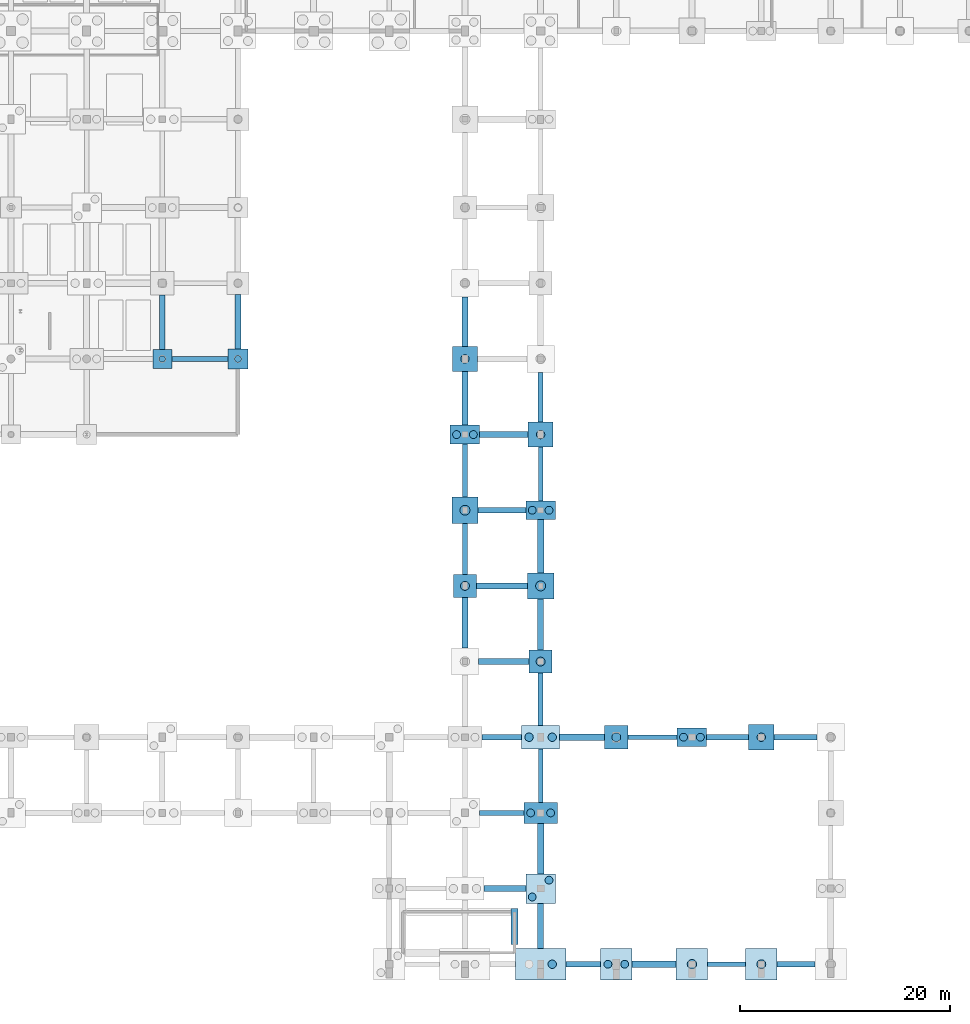
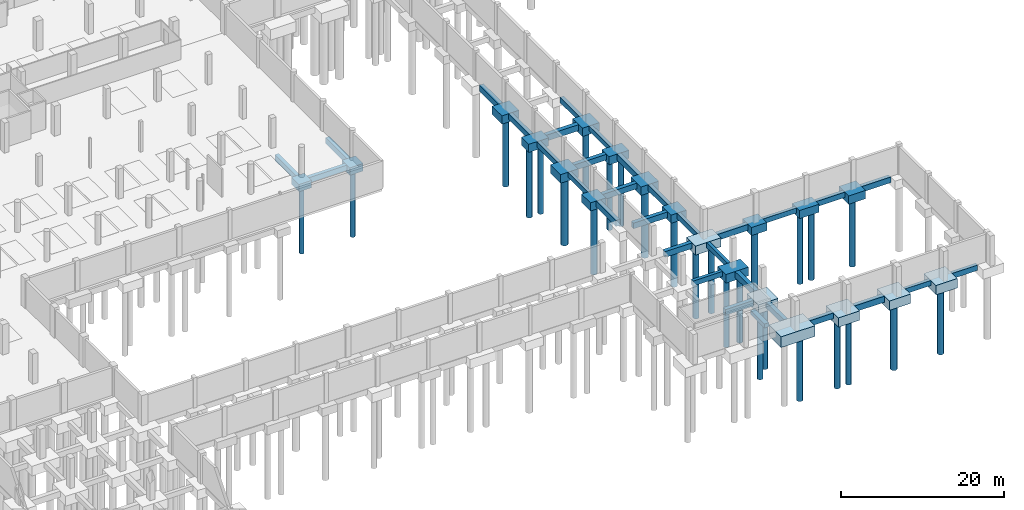
# One storey, part 5 of 35: 52 footings, 27 piles.
"""IFC4 building model written with IfcOpenShell, lengths in metres."""

from ifc_helpers import new_model, si_unit, direction, frame, origin, origin_2d, place, context, subcontext, project, spatial, rectangle, circle, extrude, material, material_profile, profile_set, type_object, element, save


model = new_model("IFC4")

# Units and contexts
model_context = context("Model", 3, precision=1e-05, world=origin(), true_north=direction((0.0, 1.0)))
body_context = subcontext(model_context, "Body", "Model", "MODEL_VIEW")
ifc_project = project(units=[si_unit("LENGTHUNIT", "METRE"), si_unit("AREAUNIT", "SQUARE_METRE"), si_unit("VOLUMEUNIT", "CUBIC_METRE"), si_unit("PLANEANGLEUNIT", "RADIAN"), si_unit("MASSUNIT", "GRAM", prefix="KILO")], contexts=[model_context])

# Site, building, storey
site_placement = place(None, origin())
site = spatial("IfcSite", under=ifc_project, at=site_placement, CompositionType="ELEMENT")
building_placement = place(site_placement, origin())
building = spatial("IfcBuilding", under=site, at=building_placement, Name="Kalluvel Institute of Natural Sciences", CompositionType="ELEMENT")
storey_placement = place(building_placement, frame((0.0, 0.0, -4.5)))
storey = spatial("IfcBuildingStorey", under=building, at=storey_placement, Name="B1", CompositionType="ELEMENT", Elevation=-4.5)

# Footings
ifc_material = material(Name="Concrete M40", Category="concrete")
footing_type_1 = type_object("IfcFootingType", Name="FB-450x750", PredefinedType="FOOTING_BEAM", material=ifc_material)
footing_1_placement = place(storey_placement, frame((132.5, 14.0, -0.75), z_axis=(0.0, 0.0, 1.0), x_axis=(1.0, 0.0, 0.0)))
element("IfcFooting", 1, at=footing_1_placement, inside=storey, type_object=footing_type_1, Name="Foundation tie beam GB-X-008", PredefinedType="FOOTING_BEAM", context=body_context, shape_type="SweptSolid", body=[
    extrude(rectangle(XDim=3.60009765625, YDim=0.449951171875, at=origin_2d()), origin(), (0.0, 0.0, 1.0), 0.75),
])
footing_2_placement = place(storey_placement, frame((111.10009765625, 28.39990234375, -0.75), z_axis=(0.0, 0.0, 1.0), x_axis=(1.0, 0.0, 0.0)))
element("IfcFooting", 2, at=footing_2_placement, inside=storey, type_object=footing_type_1, Name="Foundation tie beam GB-X-028", PredefinedType="FOOTING_BEAM", context=body_context, shape_type="SweptSolid", body=[
    extrude(rectangle(XDim=4.199951171875, YDim=0.449951171875, at=origin_2d()), origin(), (0.0, 0.0, 1.0), 0.75),
])
footing_3_placement = place(storey_placement, frame((125.449951171875, 35.60009765625, -0.75), z_axis=(0.0, 0.0, 1.0), x_axis=(1.0, 0.0, 0.0)))
element("IfcFooting", 3, at=footing_3_placement, inside=storey, type_object=footing_type_1, Name="Foundation tie beam GB-X-044", PredefinedType="FOOTING_BEAM", context=body_context, shape_type="SweptSolid", body=[
    extrude(rectangle(XDim=4.699951171875, YDim=0.449951171875, at=origin_2d()), origin(), (0.0, 0.0, 1.0), 0.75),
])
footing_4_placement = place(storey_placement, frame((107.60009765625, 53.52490234375, -0.75), z_axis=(0.0, 0.0, 1.0), x_axis=(1.0, 0.0, 0.0)))
element("IfcFooting", 4, at=footing_4_placement, inside=storey, type_object=footing_type_1, Name="Foundation tie beam GB-Y-332", PredefinedType="FOOTING_BEAM", context=body_context, shape_type="SweptSolid", body=[
    extrude(rectangle(XDim=0.449951171875, YDim=4.85009765625, at=origin_2d()), origin(), (0.0, 0.0, 1.0), 0.75),
])
for number, where, z_axis, x_axis, name in (
    (5, (114.800048828125, 31.949951171875, -0.75), (0.0, 0.0, 1.0), (1.0, 0.0, 0.0), "Foundation tie beam GB-Y-344"),
    (6, (114.800048828125, 60.64990234375, -0.75), (0.0, 0.0, 1.0), (1.0, 0.0, 0.0), "Foundation tie beam GB-Y-348"),
):
    element("IfcFooting", number, at=place(storey_placement, frame(where, z_axis=z_axis, x_axis=x_axis)), inside=storey, type_object=footing_type_1, Name=name, PredefinedType="FOOTING_BEAM", context=body_context, shape_type="SweptSolid", body=[
        extrude(rectangle(XDim=0.449951171875, YDim=5.10009765625, at=origin_2d()), origin(), (0.0, 0.0, 1.0), 0.75),
    ])
footing_type_2 = type_object("IfcFootingType", Name="FB-500x800", PredefinedType="FOOTING_BEAM", material=ifc_material)
footing_5_placement = place(storey_placement, frame((139.10009765625, 14.0, -0.7998046875), z_axis=(0.0, 0.0, 1.0), x_axis=(1.0, 0.0, 0.0)))
element("IfcFooting", 7, at=footing_5_placement, inside=storey, type_object=footing_type_2, Name="Foundation tie beam GB-X-009", PredefinedType="FOOTING_BEAM", context=body_context, shape_type="SweptSolid", body=[
    extrude(rectangle(XDim=3.60009765625, YDim=0.5, at=origin_2d()), origin(), (0.0, 0.0, 1.0), 0.800048828125),
])
footing_6_placement = place(storey_placement, frame((132.60009765625, 35.60009765625, -0.7998046875), z_axis=(0.0, 0.0, 1.0), x_axis=(1.0, 0.0, 0.0)))
element("IfcFooting", 8, at=footing_6_placement, inside=storey, type_object=footing_type_2, Name="Foundation tie beam GB-X-045", PredefinedType="FOOTING_BEAM", context=body_context, shape_type="SweptSolid", body=[
    extrude(rectangle(XDim=4.0, YDim=0.5, at=origin_2d()), origin(), (0.0, 0.0, 1.0), 0.800048828125),
])
footing_7_placement = place(storey_placement, frame((82.375, 71.60009765625, -1.25), z_axis=(0.0, 0.0, 1.0), x_axis=(1.0, 0.0, 0.0)))
element("IfcFooting", 9, at=footing_7_placement, inside=storey, type_object=footing_type_2, Name="Foundation tie beam GB-X-077", PredefinedType="FOOTING_BEAM", context=body_context, shape_type="SweptSolid", body=[
    extrude(rectangle(XDim=5.35009765625, YDim=0.5, at=origin_2d()), origin(), (0.0, 0.0, 1.0), 0.800048828125),
])
footing_8_placement = place(storey_placement, frame((107.60009765625, 60.97509765625, -0.7998046875), z_axis=(0.0, 0.0, 1.0), x_axis=(1.0, 0.0, 0.0)))
element("IfcFooting", 10, at=footing_8_placement, inside=storey, type_object=footing_type_2, Name="Foundation tie beam GB-Y-333", PredefinedType="FOOTING_BEAM", context=body_context, shape_type="SweptSolid", body=[
    extrude(rectangle(XDim=0.5, YDim=5.050048828125, at=origin_2d()), origin(), (0.0, 0.0, 1.0), 0.800048828125),
])
footing_9_placement = place(storey_placement, frame((114.800048828125, 39.199951171875, -0.7998046875), z_axis=(0.0, 0.0, 1.0), x_axis=(1.0, 0.0, 0.0)))
element("IfcFooting", 11, at=footing_9_placement, inside=storey, type_object=footing_type_2, Name="Foundation tie beam GB-Y-345", PredefinedType="FOOTING_BEAM", context=body_context, shape_type="SweptSolid", body=[
    extrude(rectangle(XDim=0.5, YDim=5.0, at=origin_2d()), origin(), (0.0, 0.0, 1.0), 0.800048828125),
])
footing_10_placement = place(storey_placement, frame((114.800048828125, 67.949951171875, -0.7998046875), z_axis=(0.0, 0.0, 1.0), x_axis=(1.0, 0.0, 0.0)))
element("IfcFooting", 12, at=footing_10_placement, inside=storey, type_object=footing_type_2, Name="Foundation tie beam GB-Y-349", PredefinedType="FOOTING_BEAM", context=body_context, shape_type="SweptSolid", body=[
    extrude(rectangle(XDim=0.5, YDim=4.699951171875, at=origin_2d()), origin(), (0.0, 0.0, 1.0), 0.800048828125),
])
footing_type_3 = type_object("IfcFootingType", Name="FB-550x850", PredefinedType="FOOTING_BEAM", material=ifc_material)
footing_11_placement = place(storey_placement, frame((118.85009765625, 14.0, -0.85009765625), z_axis=(0.0, 0.0, 1.0), x_axis=(1.0, 0.0, 0.0)))
element("IfcFooting", 13, at=footing_11_placement, inside=storey, type_object=footing_type_3, Name="Foundation tie beam GB-X-006", PredefinedType="FOOTING_BEAM", context=body_context, shape_type="SweptSolid", body=[
    extrude(rectangle(XDim=3.300048828125, YDim=0.550048828125, at=origin_2d()), origin(), (0.0, 0.0, 1.0), 0.85009765625),
])
footing_12_placement = place(storey_placement, frame((111.39990234375, 21.199951171875, -0.85009765625), z_axis=(0.0, 0.0, 1.0), x_axis=(1.0, 0.0, 0.0)))
element("IfcFooting", 14, at=footing_12_placement, inside=storey, type_object=footing_type_3, Name="Foundation tie beam GB-X-014", PredefinedType="FOOTING_BEAM", context=body_context, shape_type="SweptSolid", body=[
    extrude(rectangle(XDim=4.0, YDim=0.550048828125, at=origin_2d()), origin(), (0.0, 0.0, 1.0), 0.85009765625),
])
footing_13_placement = place(storey_placement, frame((111.10009765625, 35.60009765625, -0.85009765625), z_axis=(0.0, 0.0, 1.0), x_axis=(1.0, 0.0, 0.0)))
element("IfcFooting", 15, at=footing_13_placement, inside=storey, type_object=footing_type_3, Name="Foundation tie beam GB-X-042", PredefinedType="FOOTING_BEAM", context=body_context, shape_type="SweptSolid", body=[
    extrude(rectangle(XDim=3.800048828125, YDim=0.550048828125, at=origin_2d()), origin(), (0.0, 0.0, 1.0), 0.85009765625),
])
footing_14_placement = place(storey_placement, frame((139.050048828125, 35.60009765625, -0.85009765625), z_axis=(0.0, 0.0, 1.0), x_axis=(1.0, 0.0, 0.0)))
element("IfcFooting", 16, at=footing_14_placement, inside=storey, type_object=footing_type_3, Name="Foundation tie beam GB-X-046", PredefinedType="FOOTING_BEAM", context=body_context, shape_type="SweptSolid", body=[
    extrude(rectangle(XDim=4.10009765625, YDim=0.550048828125, at=origin_2d()), origin(), (0.0, 0.0, 1.0), 0.85009765625),
])
footing_15_placement = place(storey_placement, frame((111.300048828125, 42.800048828125, -0.85009765625), z_axis=(0.0, 0.0, 1.0), x_axis=(1.0, 0.0, 0.0)))
element("IfcFooting", 17, at=footing_15_placement, inside=storey, type_object=footing_type_3, Name="Foundation tie beam GB-X-050", PredefinedType="FOOTING_BEAM", context=body_context, shape_type="SweptSolid", body=[
    extrude(rectangle(XDim=4.800048828125, YDim=0.550048828125, at=origin_2d()), origin(), (0.0, 0.0, 1.0), 0.85009765625),
])
footing_16_placement = place(storey_placement, frame((111.125, 50.0, -0.85009765625), z_axis=(0.0, 0.0, 1.0), x_axis=(1.0, 0.0, 0.0)))
element("IfcFooting", 18, at=footing_16_placement, inside=storey, type_object=footing_type_3, Name="Foundation tie beam GB-X-054", PredefinedType="FOOTING_BEAM", context=body_context, shape_type="SweptSolid", body=[
    extrude(rectangle(XDim=4.85009765625, YDim=0.550048828125, at=origin_2d()), origin(), (0.0, 0.0, 1.0), 0.85009765625),
])
footing_17_placement = place(storey_placement, frame((111.125, 57.199951171875, -0.85009765625), z_axis=(0.0, 0.0, 1.0), x_axis=(1.0, 0.0, 0.0)))
element("IfcFooting", 19, at=footing_17_placement, inside=storey, type_object=footing_type_3, Name="Foundation tie beam GB-X-058", PredefinedType="FOOTING_BEAM", context=body_context, shape_type="SweptSolid", body=[
    extrude(rectangle(XDim=4.550048828125, YDim=0.550048828125, at=origin_2d()), origin(), (0.0, 0.0, 1.0), 0.85009765625),
])
for number, where, z_axis, x_axis, name in (
    (20, (78.800048828125, 75.10009765625, -1.300048828125), (0.0, 0.0, 1.0), (1.0, 0.0, 0.0), "Foundation tie beam GB-Y-302"),
    (21, (86.0, 75.14990234375, -1.300048828125), (0.0, 0.0, 1.0), (1.0, 0.0, 0.0), "Foundation tie beam GB-Y-310"),
):
    element("IfcFooting", number, at=place(storey_placement, frame(where, z_axis=z_axis, x_axis=x_axis)), inside=storey, type_object=footing_type_3, Name=name, PredefinedType="FOOTING_BEAM", context=body_context, shape_type="SweptSolid", body=[
        extrude(rectangle(XDim=0.550048828125, YDim=5.199951171875, at=origin_2d()), origin(), (0.0, 0.0, 1.0), 0.85009765625),
    ])
footing_18_placement = place(storey_placement, frame((107.60009765625, 67.85009765625, -0.85009765625), z_axis=(0.0, 0.0, 1.0), x_axis=(1.0, 0.0, 0.0)))
element("IfcFooting", 22, at=footing_18_placement, inside=storey, type_object=footing_type_3, Name="Foundation tie beam GB-Y-334", PredefinedType="FOOTING_BEAM", context=body_context, shape_type="SweptSolid", body=[
    extrude(rectangle(XDim=0.550048828125, YDim=5.10009765625, at=origin_2d()), origin(), (0.0, 0.0, 1.0), 0.85009765625),
])
footing_19_placement = place(storey_placement, frame((114.800048828125, 17.64990234375, -0.85009765625), z_axis=(0.0, 0.0, 1.0), x_axis=(1.0, 0.0, 0.0)))
element("IfcFooting", 23, at=footing_19_placement, inside=storey, type_object=footing_type_3, Name="Foundation tie beam GB-Y-342", PredefinedType="FOOTING_BEAM", context=body_context, shape_type="SweptSolid", body=[
    extrude(rectangle(XDim=0.550048828125, YDim=4.300048828125, at=origin_2d()), origin(), (0.0, 0.0, 1.0), 0.85009765625),
])
footing_20_placement = place(storey_placement, frame((114.800048828125, 46.324951171875, -0.85009765625), z_axis=(0.0, 0.0, 1.0), x_axis=(1.0, 0.0, 0.0)))
element("IfcFooting", 24, at=footing_20_placement, inside=storey, type_object=footing_type_3, Name="Foundation tie beam GB-Y-346", PredefinedType="FOOTING_BEAM", context=body_context, shape_type="SweptSolid", body=[
    extrude(rectangle(XDim=0.550048828125, YDim=4.85009765625, at=origin_2d()), origin(), (0.0, 0.0, 1.0), 0.85009765625),
])
footing_type_4 = type_object("IfcFootingType", Name="FB-600x900", PredefinedType="FOOTING_BEAM", material=ifc_material)
footing_21_placement = place(storey_placement, frame((125.60009765625, 14.0, -0.89990234375), z_axis=(0.0, 0.0, 1.0), x_axis=(1.0, 0.0, 0.0)))
element("IfcFooting", 25, at=footing_21_placement, inside=storey, type_object=footing_type_4, Name="Foundation tie beam GB-X-007", PredefinedType="FOOTING_BEAM", context=body_context, shape_type="SweptSolid", body=[
    extrude(rectangle(XDim=4.199951171875, YDim=0.60009765625, at=origin_2d()), origin(), (0.0, 0.0, 1.0), 0.89990234375),
])
footing_22_placement = place(storey_placement, frame((118.75, 35.60009765625, -0.89990234375), z_axis=(0.0, 0.0, 1.0), x_axis=(1.0, 0.0, 0.0)))
element("IfcFooting", 26, at=footing_22_placement, inside=storey, type_object=footing_type_4, Name="Foundation tie beam GB-X-043", PredefinedType="FOOTING_BEAM", context=body_context, shape_type="SweptSolid", body=[
    extrude(rectangle(XDim=4.300048828125, YDim=0.60009765625, at=origin_2d()), origin(), (0.0, 0.0, 1.0), 0.89990234375),
])
footing_23_placement = place(storey_placement, frame((111.300048828125, 64.39990234375, -0.89990234375), z_axis=(0.0, 0.0, 1.0), x_axis=(1.0, 0.0, 0.0)))
element("IfcFooting", 27, at=footing_23_placement, inside=storey, type_object=footing_type_4, Name="Foundation tie beam GB-X-067", PredefinedType="FOOTING_BEAM", context=body_context, shape_type="SweptSolid", body=[
    extrude(rectangle(XDim=4.60009765625, YDim=0.60009765625, at=origin_2d()), origin(), (0.0, 0.0, 1.0), 0.89990234375),
])
footing_24_placement = place(storey_placement, frame((107.60009765625, 46.5, -0.89990234375), z_axis=(0.0, 0.0, 1.0), x_axis=(1.0, 0.0, 0.0)))
element("IfcFooting", 28, at=footing_24_placement, inside=storey, type_object=footing_type_4, Name="Foundation tie beam GB-Y-331", PredefinedType="FOOTING_BEAM", context=body_context, shape_type="SweptSolid", body=[
    extrude(rectangle(XDim=0.60009765625, YDim=4.800048828125, at=origin_2d()), origin(), (0.0, 0.0, 1.0), 0.89990234375),
])
footing_25_placement = place(storey_placement, frame((107.60009765625, 75.14990234375, -0.89990234375), z_axis=(0.0, 0.0, 1.0), x_axis=(1.0, 0.0, 0.0)))
element("IfcFooting", 29, at=footing_25_placement, inside=storey, type_object=footing_type_4, Name="Foundation tie beam GB-Y-335", PredefinedType="FOOTING_BEAM", context=body_context, shape_type="SweptSolid", body=[
    extrude(rectangle(XDim=0.60009765625, YDim=4.699951171875, at=origin_2d()), origin(), (0.0, 0.0, 1.0), 0.89990234375),
])
footing_26_placement = place(storey_placement, frame((114.800048828125, 25.0, -0.89990234375), z_axis=(0.0, 0.0, 1.0), x_axis=(1.0, 0.0, 0.0)))
element("IfcFooting", 30, at=footing_26_placement, inside=storey, type_object=footing_type_4, Name="Foundation tie beam GB-Y-343", PredefinedType="FOOTING_BEAM", context=body_context, shape_type="SweptSolid", body=[
    extrude(rectangle(XDim=0.60009765625, YDim=4.800048828125, at=origin_2d()), origin(), (0.0, 0.0, 1.0), 0.89990234375),
])
footing_27_placement = place(storey_placement, frame((114.800048828125, 53.77490234375, -0.89990234375), z_axis=(0.0, 0.0, 1.0), x_axis=(1.0, 0.0, 0.0)))
element("IfcFooting", 31, at=footing_27_placement, inside=storey, type_object=footing_type_4, Name="Foundation tie beam GB-Y-347", PredefinedType="FOOTING_BEAM", context=body_context, shape_type="SweptSolid", body=[
    extrude(rectangle(XDim=0.60009765625, YDim=5.050048828125, at=origin_2d()), origin(), (0.0, 0.0, 1.0), 0.89990234375),
])
footing_type_5 = type_object("IfcFootingType", Name="FT-STRIP-650x600", PredefinedType="STRIP_FOOTING", material=ifc_material)
footing_28_placement = place(storey_placement, frame((112.320068359375, 17.6025390625, -0.60009765625), z_axis=(0.0, 0.0, 1.0), x_axis=(1.0, 0.0, 0.0)))
element("IfcFooting", 32, at=footing_28_placement, inside=storey, type_object=footing_type_5, Name="ST7 east core strip footing SF-009", PredefinedType="STRIP_FOOTING", context=body_context, shape_type="SweptSolid", body=[
    extrude(rectangle(XDim=0.64990234375, YDim=3.405029296875, at=origin_2d()), origin(), (0.0, 0.0, 1.0), 0.60009765625),
])
footing_type_6 = type_object("IfcFootingType", Name="PC-1800x1800x1100", PredefinedType="PILE_CAP", material=ifc_material)
footing_29_placement = place(storey_placement, frame((78.800048828125, 71.60009765625, -1.550048828125), z_axis=(0.0, 0.0, 1.0), x_axis=(1.0, 0.0, 0.0)))
element("IfcFooting", 33, at=footing_29_placement, inside=storey, type_object=footing_type_6, Name="Pile cap CAP-122", PredefinedType="PILE_CAP", context=body_context, shape_type="SweptSolid", body=[
    extrude(rectangle(XDim=1.800048828125, YDim=1.800048828125, at=origin_2d()), origin(), (0.0, 0.0, 1.0), 1.10009765625),
])
footing_type_7 = type_object("IfcFootingType", Name="PC-1900x1900x1120", PredefinedType="PILE_CAP", material=ifc_material)
footing_30_placement = place(storey_placement, frame((86.0, 71.60009765625, -1.570068359375), z_axis=(0.0, 0.0, 1.0), x_axis=(1.0, 0.0, 0.0)))
element("IfcFooting", 34, at=footing_30_placement, inside=storey, type_object=footing_type_7, Name="Pile cap CAP-132", PredefinedType="PILE_CAP", context=body_context, shape_type="SweptSolid", body=[
    extrude(rectangle(XDim=1.89990234375, YDim=1.89990234375, at=origin_2d()), origin(), (0.0, 0.0, 1.0), 1.1201171875),
])
footing_type_8 = type_object("IfcFootingType", Name="PC-2200x2200x1200", PredefinedType="PILE_CAP", material=ifc_material)
for number, where, z_axis, x_axis, name in (
    (35, (107.60009765625, 50.0, -1.2001953125), (0.0, 0.0, 1.0), (1.0, 0.0, 0.0), "Pile cap CAP-159"),
    (36, (114.800048828125, 42.800048828125, -1.2001953125), (0.0, 0.0, 1.0), (1.0, 0.0, 0.0), "Pile cap CAP-174"),
    (37, (122.0, 35.60009765625, -1.2001953125), (0.0, 0.0, 1.0), (1.0, 0.0, 0.0), "Pile cap CAP-187"),
):
    element("IfcFooting", number, at=place(storey_placement, frame(where, z_axis=z_axis, x_axis=x_axis)), inside=storey, type_object=footing_type_8, Name=name, PredefinedType="PILE_CAP", context=body_context, shape_type="SweptSolid", body=[
        extrude(rectangle(XDim=2.199951171875, YDim=2.199951171875, at=origin_2d()), origin(), (0.0, 0.0, 1.0), 1.199951171875),
    ])
footing_type_9 = type_object("IfcFootingType", Name="PC-2400x2400x1250", PredefinedType="PILE_CAP", material=ifc_material)
for number, where, z_axis, x_axis, name in (
    (38, (107.60009765625, 71.60009765625, -1.25), (0.0, 0.0, 1.0), (1.0, 0.0, 0.0), "Pile cap CAP-162"),
    (39, (114.800048828125, 64.39990234375, -1.25), (0.0, 0.0, 1.0), (1.0, 0.0, 0.0), "Pile cap CAP-177"),
    (40, (135.800048828125, 35.60009765625, -1.25), (0.0, 0.0, 1.0), (1.0, 0.0, 0.0), "Pile cap CAP-198"),
):
    element("IfcFooting", number, at=place(storey_placement, frame(where, z_axis=z_axis, x_axis=x_axis)), inside=storey, type_object=footing_type_9, Name=name, PredefinedType="PILE_CAP", context=body_context, shape_type="SweptSolid", body=[
        extrude(rectangle(XDim=2.39990234375, YDim=2.39990234375, at=origin_2d()), origin(), (0.0, 0.0, 1.0), 1.25),
    ])
footing_type_10 = type_object("IfcFootingType", Name="PC-2500x2500x1280", PredefinedType="PILE_CAP", material=ifc_material)
for number, where, z_axis, x_axis, name in (
    (41, (107.60009765625, 57.199951171875, -1.27978515625), (0.0, 0.0, 1.0), (1.0, 0.0, 0.0), "Pile cap CAP-160"),
    (42, (114.800048828125, 50.0, -1.27978515625), (0.0, 0.0, 1.0), (1.0, 0.0, 0.0), "Pile cap CAP-175"),
):
    element("IfcFooting", number, at=place(storey_placement, frame(where, z_axis=z_axis, x_axis=x_axis)), inside=storey, type_object=footing_type_10, Name=name, PredefinedType="PILE_CAP", context=body_context, shape_type="SweptSolid", body=[
        extrude(rectangle(XDim=2.5, YDim=2.5, at=origin_2d()), origin(), (0.0, 0.0, 1.0), 1.280029296875),
    ])
footing_type_11 = type_object("IfcFootingType", Name="PC-2800x1800x1200", PredefinedType="PILE_CAP", material=ifc_material)
for number, where, z_axis, x_axis, name in (
    (43, (107.60009765625, 64.39990234375, -1.2001953125), (0.0, 0.0, 1.0), (1.0, 0.0, 0.0), "Pile cap CAP-161"),
    (44, (114.800048828125, 57.199951171875, -1.2001953125), (0.0, 0.0, 1.0), (1.0, 0.0, 0.0), "Pile cap CAP-176"),
    (45, (129.199951171875, 35.60009765625, -1.2001953125), (0.0, 0.0, 1.0), (1.0, 0.0, 0.0), "Pile cap CAP-191"),
):
    element("IfcFooting", number, at=place(storey_placement, frame(where, z_axis=z_axis, x_axis=x_axis)), inside=storey, type_object=footing_type_11, Name=name, PredefinedType="PILE_CAP", context=body_context, shape_type="SweptSolid", body=[
        extrude(rectangle(XDim=2.800048828125, YDim=1.800048828125, at=origin_2d()), origin(), (0.0, 0.0, 1.0), 1.199951171875),
    ])
footing_type_12 = type_object("IfcFootingType", Name="PC-2800x2800x1350", PredefinedType="PILE_CAP", material=ifc_material)
footing_31_placement = place(storey_placement, frame((114.800048828125, 21.199951171875, -1.35009765625), z_axis=(0.0, 0.0, 1.0), x_axis=(1.0, 0.0, 0.0)))
element("IfcFooting", 46, at=footing_31_placement, inside=storey, type_object=footing_type_12, Name="Pile cap CAP-171", PredefinedType="PILE_CAP", context=body_context, shape_type="SweptSolid", body=[
    extrude(rectangle(XDim=2.800048828125, YDim=2.800048828125, at=origin_2d()), origin(), (0.0, 0.0, 1.0), 1.35009765625),
])
footing_type_13 = type_object("IfcFootingType", Name="PC-3000x3000x1400", PredefinedType="PILE_CAP", material=ifc_material)
for number, where, z_axis, x_axis, name in (
    (47, (122.0, 14.0, -1.39990234375), (0.0, 0.0, 1.0), (1.0, 0.0, 0.0), "Pile cap CAP-186"),
    (48, (129.199951171875, 14.0, -1.39990234375), (0.0, 0.0, 1.0), (1.0, 0.0, 0.0), "Pile cap CAP-190"),
    (49, (135.800048828125, 14.0, -1.39990234375), (0.0, 0.0, 1.0), (1.0, 0.0, 0.0), "Pile cap CAP-197"),
):
    element("IfcFooting", number, at=place(storey_placement, frame(where, z_axis=z_axis, x_axis=x_axis)), inside=storey, type_object=footing_type_13, Name=name, PredefinedType="PILE_CAP", context=body_context, shape_type="SweptSolid", body=[
        extrude(rectangle(XDim=3.0, YDim=3.0, at=origin_2d()), origin(), (0.0, 0.0, 1.0), 1.39990234375),
    ])
footing_type_14 = type_object("IfcFootingType", Name="PC-3200x2000x1300", PredefinedType="PILE_CAP", material=ifc_material)
footing_32_placement = place(storey_placement, frame((114.800048828125, 28.39990234375, -1.2998046875), z_axis=(0.0, 0.0, 1.0), x_axis=(1.0, 0.0, 0.0)))
element("IfcFooting", 50, at=footing_32_placement, inside=storey, type_object=footing_type_14, Name="Pile cap CAP-172", PredefinedType="PILE_CAP", context=body_context, shape_type="SweptSolid", body=[
    extrude(rectangle(XDim=3.199951171875, YDim=2.0, at=origin_2d()), origin(), (0.0, 0.0, 1.0), 1.300048828125),
])
footing_type_15 = type_object("IfcFootingType", Name="PC-3600x2200x1350", PredefinedType="PILE_CAP", material=ifc_material)
footing_33_placement = place(storey_placement, frame((114.800048828125, 35.60009765625, -1.35009765625), z_axis=(0.0, 0.0, 1.0), x_axis=(1.0, 0.0, 0.0)))
element("IfcFooting", 51, at=footing_33_placement, inside=storey, type_object=footing_type_15, Name="Pile cap CAP-173", PredefinedType="PILE_CAP", context=body_context, shape_type="SweptSolid", body=[
    extrude(rectangle(XDim=3.60009765625, YDim=2.199951171875, at=origin_2d()), origin(), (0.0, 0.0, 1.0), 1.35009765625),
])
footing_type_16 = type_object("IfcFootingType", Name="PC-4800x3000x1600", PredefinedType="PILE_CAP", material=ifc_material)
footing_34_placement = place(storey_placement, frame((114.800048828125, 14.0, -1.60009765625), z_axis=(0.0, 0.0, 1.0), x_axis=(1.0, 0.0, 0.0)))
element("IfcFooting", 52, at=footing_34_placement, inside=storey, type_object=footing_type_16, Name="Pile cap CAP-170", PredefinedType="PILE_CAP", context=body_context, shape_type="SweptSolid", body=[
    extrude(rectangle(XDim=4.800048828125, YDim=3.0, at=origin_2d()), origin(), (0.0, 0.0, 1.0), 1.60009765625),
])

# Piles
ifc_material_profile_1 = material_profile(ifc_material, circle(Radius=0.300048828125, at=origin_2d()), Name="PILE D600")
ifc_profile_set_1 = profile_set([ifc_material_profile_1], Name="Concrete M40")
pile_type_1 = type_object("IfcPileType", Name="PILE-D600", PredefinedType="BORED", material=ifc_profile_set_1)
pile_1_placement = place(storey_placement, frame((78.800048828125, 71.60009765625, -1.429931640625), z_axis=(0.0, 0.0, -1.0), x_axis=(1.0, 0.0, 0.0)))
element("IfcPile", 53, at=pile_1_placement, inside=storey, type_object=pile_type_1, Name="Bored rock-socketed pile PILE-X7880-Y7160", PredefinedType="BORED", context=body_context, shape_type="SweptSolid", body=[
    extrude(circle(Radius=0.300048828125, at=origin_2d()), origin(), (0.0, 0.0, 1.0), 10.070068359375),
])
ifc_material_profile_2 = material_profile(ifc_material, circle(Radius=0.324951171875, at=origin_2d()), Name="PILE D650")
ifc_profile_set_2 = profile_set([ifc_material_profile_2], Name="Concrete M40")
pile_type_2 = type_object("IfcPileType", Name="PILE-D650", PredefinedType="BORED", material=ifc_profile_set_2)
pile_2_placement = place(storey_placement, frame((86.0, 71.60009765625, -1.449951171875), z_axis=(0.0, 0.0, -1.0), x_axis=(1.0, 0.0, 0.0)))
element("IfcPile", 54, at=pile_2_placement, inside=storey, type_object=pile_type_2, Name="Bored rock-socketed pile PILE-X8600-Y7160", PredefinedType="BORED", context=body_context, shape_type="SweptSolid", body=[
    extrude(circle(Radius=0.324951171875, at=origin_2d()), origin(), (0.0, 0.0, 1.0), 10.050048828125),
])
ifc_material_profile_3 = material_profile(ifc_material, circle(Radius=0.375, at=origin_2d()), Name="PILE D750")
ifc_profile_set_3 = profile_set([ifc_material_profile_3], Name="Concrete M40")
pile_type_3 = type_object("IfcPileType", Name="PILE-D750", PredefinedType="BORED", material=ifc_profile_set_3)
for number, where, z_axis, x_axis, name in (
    (55, (106.800048828125, 64.39990234375, -1.080078125), (0.0, 0.0, -1.0), (1.0, 0.0, 0.0), "Bored rock-socketed pile PILE-X10680-Y6440"),
    (56, (108.39990234375, 64.39990234375, -1.080078125), (0.0, 0.0, -1.0), (1.0, 0.0, 0.0), "Bored rock-socketed pile PILE-X10840-Y6440"),
):
    element("IfcPile", number, at=place(storey_placement, frame(where, z_axis=z_axis, x_axis=x_axis)), inside=storey, type_object=pile_type_3, Name=name, PredefinedType="BORED", context=body_context, shape_type="SweptSolid", body=[
        extrude(circle(Radius=0.375, at=origin_2d()), origin(), (0.0, 0.0, 1.0), 10.419921875),
    ])
for number, where, z_axis, x_axis, name in (
    (57, (114.0, 20.39990234375, -1.22998046875), (0.0, 0.0, -1.0), (1.0, 0.0, 0.0), "Bored rock-socketed pile PILE-X11400-Y2040"),
    (58, (115.60009765625, 22.0, -1.22998046875), (0.0, 0.0, -1.0), (1.0, 0.0, 0.0), "Bored rock-socketed pile PILE-X11560-Y2200"),
):
    element("IfcPile", number, at=place(storey_placement, frame(where, z_axis=z_axis, x_axis=x_axis)), inside=storey, type_object=pile_type_3, Name=name, PredefinedType="BORED", context=body_context, shape_type="SweptSolid", body=[
        extrude(circle(Radius=0.375, at=origin_2d()), origin(), (0.0, 0.0, 1.0), 10.27001953125),
    ])
for number, where, z_axis, x_axis, name in (
    (59, (113.85009765625, 28.39990234375, -1.179931640625), (0.0, 0.0, -1.0), (1.0, 0.0, 0.0), "Bored rock-socketed pile PILE-X11385-Y2840"),
    (60, (115.75, 28.39990234375, -1.179931640625), (0.0, 0.0, -1.0), (1.0, 0.0, 0.0), "Bored rock-socketed pile PILE-X11575-Y2840"),
):
    element("IfcPile", number, at=place(storey_placement, frame(where, z_axis=z_axis, x_axis=x_axis)), inside=storey, type_object=pile_type_3, Name=name, PredefinedType="BORED", context=body_context, shape_type="SweptSolid", body=[
        extrude(circle(Radius=0.375, at=origin_2d()), origin(), (0.0, 0.0, 1.0), 10.320068359375),
    ])
for number, where, z_axis, x_axis, name in (
    (61, (114.0, 57.199951171875, -1.080078125), (0.0, 0.0, -1.0), (1.0, 0.0, 0.0), "Bored rock-socketed pile PILE-X11400-Y5720"),
    (62, (115.60009765625, 57.199951171875, -1.080078125), (0.0, 0.0, -1.0), (1.0, 0.0, 0.0), "Bored rock-socketed pile PILE-X11560-Y5720"),
):
    element("IfcPile", number, at=place(storey_placement, frame(where, z_axis=z_axis, x_axis=x_axis)), inside=storey, type_object=pile_type_3, Name=name, PredefinedType="BORED", context=body_context, shape_type="SweptSolid", body=[
        extrude(circle(Radius=0.375, at=origin_2d()), origin(), (0.0, 0.0, 1.0), 10.419921875),
    ])
for number, where, z_axis, x_axis, name in (
    (63, (121.199951171875, 14.0, -1.280029296875), (0.0, 0.0, -1.0), (1.0, 0.0, 0.0), "Bored rock-socketed pile PILE-X12120-Y1400"),
    (64, (122.800048828125, 14.0, -1.280029296875), (0.0, 0.0, -1.0), (1.0, 0.0, 0.0), "Bored rock-socketed pile PILE-X12280-Y1400"),
):
    element("IfcPile", number, at=place(storey_placement, frame(where, z_axis=z_axis, x_axis=x_axis)), inside=storey, type_object=pile_type_3, Name=name, PredefinedType="BORED", context=body_context, shape_type="SweptSolid", body=[
        extrude(circle(Radius=0.375, at=origin_2d()), origin(), (0.0, 0.0, 1.0), 10.219970703125),
    ])
for number, where, z_axis, x_axis, name in (
    (65, (128.39990234375, 35.60009765625, -1.080078125), (0.0, 0.0, -1.0), (1.0, 0.0, 0.0), "Bored rock-socketed pile PILE-X12840-Y3560"),
    (66, (130.0, 35.60009765625, -1.080078125), (0.0, 0.0, -1.0), (1.0, 0.0, 0.0), "Bored rock-socketed pile PILE-X13000-Y3560"),
):
    element("IfcPile", number, at=place(storey_placement, frame(where, z_axis=z_axis, x_axis=x_axis)), inside=storey, type_object=pile_type_3, Name=name, PredefinedType="BORED", context=body_context, shape_type="SweptSolid", body=[
        extrude(circle(Radius=0.375, at=origin_2d()), origin(), (0.0, 0.0, 1.0), 10.419921875),
    ])
ifc_material_profile_4 = material_profile(ifc_material, circle(Radius=0.39990234375, at=origin_2d()), Name="PILE D800")
ifc_profile_set_4 = profile_set([ifc_material_profile_4], Name="Concrete M40")
pile_type_4 = type_object("IfcPileType", Name="PILE-D800", PredefinedType="BORED", material=ifc_profile_set_4)
pile_3_placement = place(storey_placement, frame((107.60009765625, 71.60009765625, -1.1298828125), z_axis=(0.0, 0.0, -1.0), x_axis=(1.0, 0.0, 0.0)))
element("IfcPile", 67, at=pile_3_placement, inside=storey, type_object=pile_type_4, Name="Bored rock-socketed pile PILE-X10760-Y7160", PredefinedType="BORED", context=body_context, shape_type="SweptSolid", body=[
    extrude(circle(Radius=0.39990234375, at=origin_2d()), origin(), (0.0, 0.0, 1.0), 10.3701171875),
])
pile_4_placement = place(storey_placement, frame((115.89990234375, 14.0, -1.47998046875), z_axis=(0.0, 0.0, -1.0), x_axis=(1.0, 0.0, 0.0)))
element("IfcPile", 68, at=pile_4_placement, inside=storey, type_object=pile_type_4, Name="Bored rock-socketed pile PILE-X11590-Y1400", PredefinedType="BORED", context=body_context, shape_type="SweptSolid", body=[
    extrude(circle(Radius=0.39990234375, at=origin_2d()), origin(), (0.0, 0.0, 1.0), 10.02001953125),
])
for number, where, z_axis, x_axis, name in (
    (69, (113.699951171875, 35.60009765625, -1.22998046875), (0.0, 0.0, -1.0), (1.0, 0.0, 0.0), "Bored rock-socketed pile PILE-X11370-Y3560"),
    (70, (115.89990234375, 35.60009765625, -1.22998046875), (0.0, 0.0, -1.0), (1.0, 0.0, 0.0), "Bored rock-socketed pile PILE-X11590-Y3560"),
):
    element("IfcPile", number, at=place(storey_placement, frame(where, z_axis=z_axis, x_axis=x_axis)), inside=storey, type_object=pile_type_4, Name=name, PredefinedType="BORED", context=body_context, shape_type="SweptSolid", body=[
        extrude(circle(Radius=0.39990234375, at=origin_2d()), origin(), (0.0, 0.0, 1.0), 10.27001953125),
    ])
for number, where, z_axis, x_axis, name in (
    (71, (114.800048828125, 64.39990234375, -1.1298828125), (0.0, 0.0, -1.0), (1.0, 0.0, 0.0), "Bored rock-socketed pile PILE-X11480-Y6440"),
    (72, (135.800048828125, 35.60009765625, -1.1298828125), (0.0, 0.0, -1.0), (1.0, 0.0, 0.0), "Bored rock-socketed pile PILE-X13580-Y3560"),
):
    element("IfcPile", number, at=place(storey_placement, frame(where, z_axis=z_axis, x_axis=x_axis)), inside=storey, type_object=pile_type_4, Name=name, PredefinedType="BORED", context=body_context, shape_type="SweptSolid", body=[
        extrude(circle(Radius=0.39990234375, at=origin_2d()), origin(), (0.0, 0.0, 1.0), 10.3701171875),
    ])
ifc_material_profile_5 = material_profile(ifc_material, circle(Radius=0.425048828125, at=origin_2d()), Name="PILE D850")
ifc_profile_set_5 = profile_set([ifc_material_profile_5], Name="Concrete M40")
pile_type_5 = type_object("IfcPileType", Name="PILE-D850", PredefinedType="BORED", material=ifc_profile_set_5)
for number, where, z_axis, x_axis, name in (
    (73, (107.60009765625, 50.0, -1.080078125), (0.0, 0.0, -1.0), (1.0, 0.0, 0.0), "Bored rock-socketed pile PILE-X10760-Y5000"),
    (74, (114.800048828125, 42.800048828125, -1.080078125), (0.0, 0.0, -1.0), (1.0, 0.0, 0.0), "Bored rock-socketed pile PILE-X11480-Y4280"),
    (75, (122.0, 35.60009765625, -1.080078125), (0.0, 0.0, -1.0), (1.0, 0.0, 0.0), "Bored rock-socketed pile PILE-X12200-Y3560"),
):
    element("IfcPile", number, at=place(storey_placement, frame(where, z_axis=z_axis, x_axis=x_axis)), inside=storey, type_object=pile_type_5, Name=name, PredefinedType="BORED", context=body_context, shape_type="SweptSolid", body=[
        extrude(circle(Radius=0.425048828125, at=origin_2d()), origin(), (0.0, 0.0, 1.0), 10.419921875),
    ])
pile_5_placement = place(storey_placement, frame((135.800048828125, 14.0, -1.280029296875), z_axis=(0.0, 0.0, -1.0), x_axis=(1.0, 0.0, 0.0)))
element("IfcPile", 76, at=pile_5_placement, inside=storey, type_object=pile_type_5, Name="Bored rock-socketed pile PILE-X13580-Y1400", PredefinedType="BORED", context=body_context, shape_type="SweptSolid", body=[
    extrude(circle(Radius=0.425048828125, at=origin_2d()), origin(), (0.0, 0.0, 1.0), 10.219970703125),
])
ifc_material_profile_6 = material_profile(ifc_material, circle(Radius=0.449951171875, at=origin_2d()), Name="PILE D900")
ifc_profile_set_6 = profile_set([ifc_material_profile_6], Name="Concrete M40")
pile_type_6 = type_object("IfcPileType", Name="PILE-D900", PredefinedType="BORED", material=ifc_profile_set_6)
pile_6_placement = place(storey_placement, frame((129.199951171875, 14.0, -1.280029296875), z_axis=(0.0, 0.0, -1.0), x_axis=(1.0, 0.0, 0.0)))
element("IfcPile", 77, at=pile_6_placement, inside=storey, type_object=pile_type_6, Name="Bored rock-socketed pile PILE-X12920-Y1400", PredefinedType="BORED", context=body_context, shape_type="SweptSolid", body=[
    extrude(circle(Radius=0.449951171875, at=origin_2d()), origin(), (0.0, 0.0, 1.0), 10.219970703125),
])
ifc_material_profile_7 = material_profile(ifc_material, circle(Radius=0.47509765625, at=origin_2d()), Name="PILE D950")
ifc_profile_set_7 = profile_set([ifc_material_profile_7], Name="Concrete M40")
pile_type_7 = type_object("IfcPileType", Name="PILE-D950", PredefinedType="BORED", material=ifc_profile_set_7)
for number, where, z_axis, x_axis, name in (
    (78, (107.60009765625, 57.199951171875, -1.159912109375), (0.0, 0.0, -1.0), (1.0, 0.0, 0.0), "Bored rock-socketed pile PILE-X10760-Y5720"),
    (79, (114.800048828125, 50.0, -1.159912109375), (0.0, 0.0, -1.0), (1.0, 0.0, 0.0), "Bored rock-socketed pile PILE-X11480-Y5000"),
):
    element("IfcPile", number, at=place(storey_placement, frame(where, z_axis=z_axis, x_axis=x_axis)), inside=storey, type_object=pile_type_7, Name=name, PredefinedType="BORED", context=body_context, shape_type="SweptSolid", body=[
        extrude(circle(Radius=0.47509765625, at=origin_2d()), origin(), (0.0, 0.0, 1.0), 10.340087890625),
    ])

save(model, "model.ifc")
